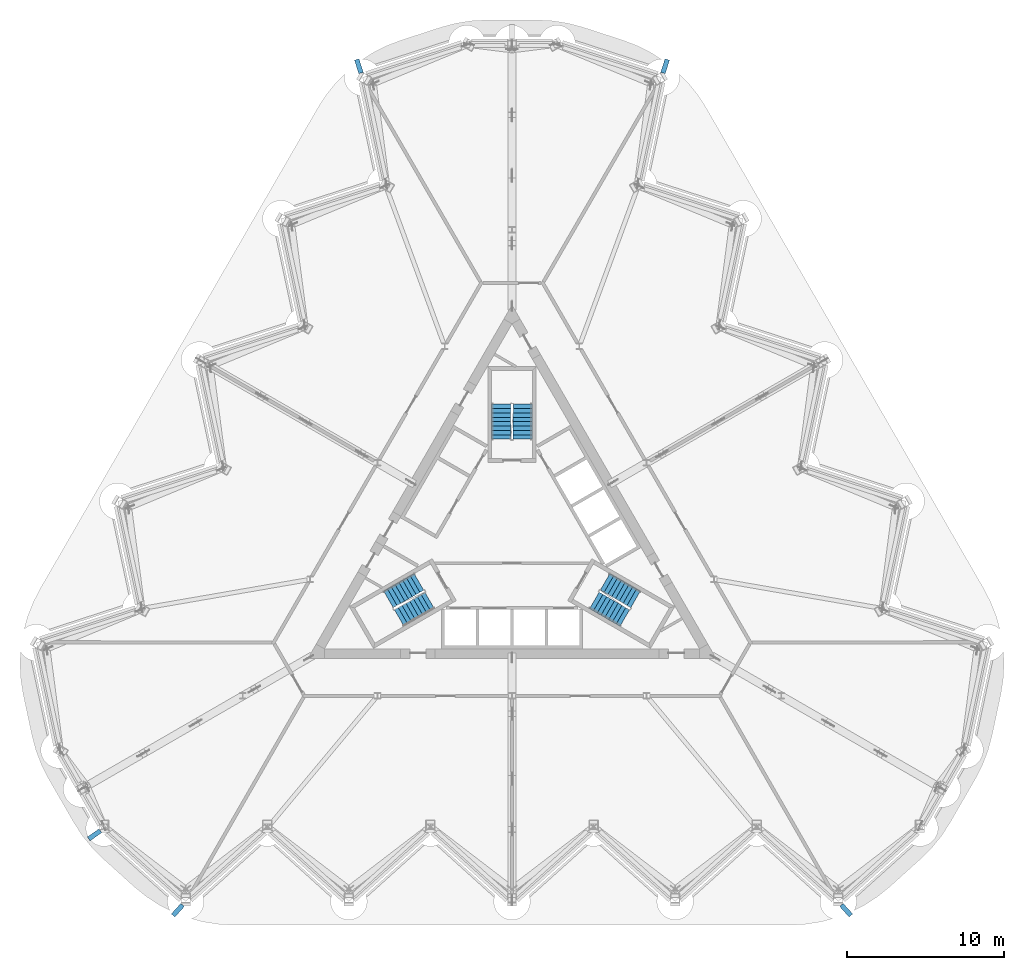
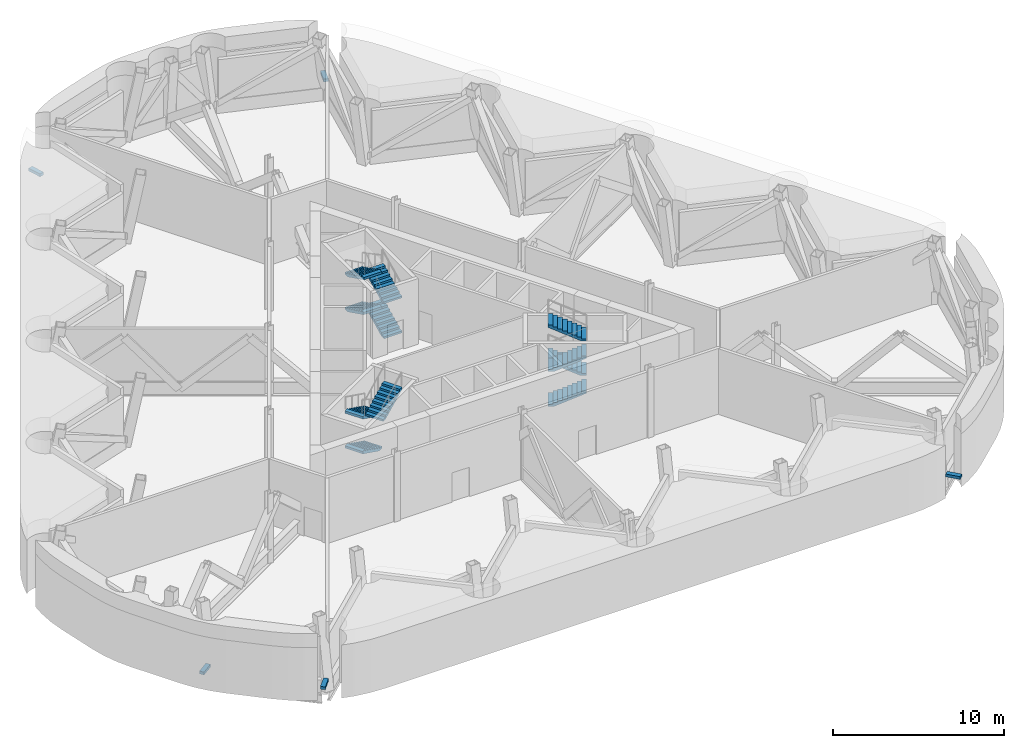
# One storey, part 9 of 16: 11 stair flights, 5 discrete accessories, 3 elements without a shape of their own.
"""IFC4 building model written with IfcOpenShell, lengths in metres."""

from ifc_helpers import new_model, si_unit, direction, frame, origin, origin_2d, place, context, subcontext, project, spatial, polyline, rectangle, outline, extrude, material, type_object, element, aggregate, save


model = new_model("IFC4")

# Units and contexts
model_context = context("Model", 3, precision=1e-05, world=origin(), true_north=direction((0.0, 1.0)))
body_context = subcontext(model_context, "Body", "Model", "MODEL_VIEW")
ifc_project = project(units=[si_unit("LENGTHUNIT", "METRE"), si_unit("AREAUNIT", "SQUARE_METRE"), si_unit("VOLUMEUNIT", "CUBIC_METRE"), si_unit("PLANEANGLEUNIT", "RADIAN"), si_unit("MASSUNIT", "GRAM", prefix="KILO")], contexts=[model_context])

# Site, building, storey
site_placement = place(None, origin())
site = spatial("IfcSite", under=ifc_project, at=site_placement, CompositionType="ELEMENT")
building_placement = place(site_placement, origin())
building = spatial("IfcBuilding", under=site, at=building_placement, Name="Cormorant Prow Tower", CompositionType="ELEMENT")
storey_placement = place(building_placement, frame((0.0, 0.0, 356.0)))
storey = spatial("IfcBuildingStorey", under=building, at=storey_placement, Name="L79", CompositionType="ELEMENT", Elevation=356.0)

# Stair, stair flights
ifc_material_1 = material(Name="Exit stair 36 risers")
stair_type = type_object("IfcStairType", Name="Exit stair 36 risers", PredefinedType="HALF_TURN_STAIR", material=ifc_material_1)
stair_1_placement = place(storey_placement, origin())
stair_1 = element("IfcStair", 1, at=stair_1_placement, inside=storey, type_object=stair_type, Name="L79 Exit stair ST1", PredefinedType="HALF_TURN_STAIR")
ifc_material_2 = material(Name="Concrete 5000 psi", Category="concrete")
stair_flight_type = type_object("IfcStairFlightType", Name="Stair flight 1219", PredefinedType="STRAIGHT", material=ifc_material_2)
stair_flight_1_placement = place(storey_placement, frame((-5.93310546875, -2.635009765625, 0.0), z_axis=(0.0, 0.0, 1.0), x_axis=(-0.866025403784, -0.5, 0.0)))
stair_flight_1 = element("IfcStairFlight", 2, at=stair_flight_1_placement, type_object=stair_flight_type, Name="ST1 flight 1", NumberOfRisers=9, NumberOfTreads=8, PredefinedType="STRAIGHT", RiserHeight=0.138888889, TreadLength=0.28, context=body_context, shape_type="SweptSolid", body=[
    extrude(outline(polyline([(0.0, 0.0), (0.0, 0.138916015625), (0.280029296875, 0.138916015625), (0.280029296875, 0.27783203125), (0.56005859375, 0.27783203125), (0.56005859375, 0.416748046875), (0.840087890625, 0.416748046875), (0.840087890625, 0.5556640625), (1.1201171875, 0.5556640625), (1.1201171875, 0.6943359375), (1.39990234375, 0.6943359375), (1.39990234375, 0.833251953125), (1.679931640625, 0.833251953125), (1.679931640625, 0.97216796875), (1.9599609375, 0.97216796875), (1.9599609375, 1.111083984375), (2.239990234375, 1.111083984375), (2.239990234375, 1.25), (2.239990234375, 0.94384765625), (0.33740234375, 0.0), (0.0, 0.0)])), frame((0.0, 0.609375, 0.0), z_axis=(0.0, -1.0, 0.0), x_axis=(1.0, 0.0, 0.0)), (0.0, 0.0, 1.0), 1.218994140625),
])
stair_flight_2_placement = place(storey_placement, frame((-5.93310546875, -2.635009765625, 2.5), z_axis=(0.0, 0.0, 1.0), x_axis=(-0.866025403784, -0.5, 0.0)))
stair_flight_2 = element("IfcStairFlight", 3, at=stair_flight_2_placement, type_object=stair_flight_type, Name="ST1 flight 3", NumberOfRisers=9, NumberOfTreads=8, PredefinedType="STRAIGHT", RiserHeight=0.138888889, TreadLength=0.28, context=body_context, shape_type="SweptSolid", body=[
    extrude(outline(polyline([(0.0, 0.0), (0.0, 0.138916015625), (0.280029296875, 0.138916015625), (0.280029296875, 0.27783203125), (0.56005859375, 0.27783203125), (0.56005859375, 0.416748046875), (0.840087890625, 0.416748046875), (0.840087890625, 0.5556640625), (1.1201171875, 0.5556640625), (1.1201171875, 0.6943359375), (1.39990234375, 0.6943359375), (1.39990234375, 0.833251953125), (1.679931640625, 0.833251953125), (1.679931640625, 0.97216796875), (1.9599609375, 0.97216796875), (1.9599609375, 1.111083984375), (2.239990234375, 1.111083984375), (2.239990234375, 1.25), (2.239990234375, 0.94384765625), (0.33740234375, 0.0), (0.0, 0.0)])), frame((0.0, 0.609375, 0.0), z_axis=(0.0, -1.0, 0.0), x_axis=(1.0, 0.0, 0.0)), (0.0, 0.0, 1.0), 1.218994140625),
])
stair_flight_3_placement = place(storey_placement, frame((-7.1884765625, -4.940673828125, 3.75), z_axis=(0.0, 0.0, 1.0), x_axis=(0.866025403784, 0.5, 0.0)))
stair_flight_3 = element("IfcStairFlight", 4, at=stair_flight_3_placement, type_object=stair_flight_type, Name="ST1 flight 4", NumberOfRisers=9, NumberOfTreads=8, PredefinedType="STRAIGHT", RiserHeight=0.138888889, TreadLength=0.28, context=body_context, shape_type="SweptSolid", body=[
    extrude(outline(polyline([(0.0, 0.0), (0.0, 0.138916015625), (0.280029296875, 0.138916015625), (0.280029296875, 0.27783203125), (0.56005859375, 0.27783203125), (0.56005859375, 0.416748046875), (0.840087890625, 0.416748046875), (0.840087890625, 0.5556640625), (1.1201171875, 0.5556640625), (1.1201171875, 0.6943359375), (1.39990234375, 0.6943359375), (1.39990234375, 0.833251953125), (1.679931640625, 0.833251953125), (1.679931640625, 0.97216796875), (1.9599609375, 0.97216796875), (1.9599609375, 1.111083984375), (2.239990234375, 1.111083984375), (2.239990234375, 1.25), (2.239990234375, 0.94384765625), (0.33740234375, 0.0), (0.0, 0.0)])), frame((0.0, 0.609375, 0.0), z_axis=(0.0, -1.0, 0.0), x_axis=(1.0, 0.0, 0.0)), (0.0, 0.0, 1.0), 1.218994140625),
])
aggregate(stair_1, [stair_flight_1, stair_flight_2, stair_flight_3])

stair_2_placement = place(storey_placement, origin())
stair_2 = element("IfcStair", 5, at=stair_2_placement, inside=storey, type_object=stair_type, Name="L79 Exit stair ST2", PredefinedType="HALF_TURN_STAIR")
stair_flight_4_placement = place(storey_placement, frame((5.24853515625, -3.82080078125, 0.0), z_axis=(0.0, 0.0, 1.0), x_axis=(0.866025403784, -0.5, 0.0)))
stair_flight_4 = element("IfcStairFlight", 6, at=stair_flight_4_placement, type_object=stair_flight_type, Name="ST2 flight 1", NumberOfRisers=9, NumberOfTreads=8, PredefinedType="STRAIGHT", RiserHeight=0.138888889, TreadLength=0.28, context=body_context, shape_type="SweptSolid", body=[
    extrude(outline(polyline([(0.0, 0.0), (0.0, 0.138916015625), (0.280029296875, 0.138916015625), (0.280029296875, 0.27783203125), (0.56005859375, 0.27783203125), (0.56005859375, 0.416748046875), (0.840087890625, 0.416748046875), (0.840087890625, 0.5556640625), (1.1201171875, 0.5556640625), (1.1201171875, 0.6943359375), (1.39990234375, 0.6943359375), (1.39990234375, 0.833251953125), (1.679931640625, 0.833251953125), (1.679931640625, 0.97216796875), (1.9599609375, 0.97216796875), (1.9599609375, 1.111083984375), (2.239990234375, 1.111083984375), (2.239990234375, 1.25), (2.239990234375, 0.94384765625), (0.33740234375, 0.0), (0.0, 0.0)])), frame((0.0, 0.609375, 0.0), z_axis=(0.0, -1.0, 0.0), x_axis=(1.0, 0.0, 0.0)), (0.0, 0.0, 1.0), 1.218994140625),
])
stair_flight_5_placement = place(storey_placement, frame((7.873046875, -3.755126953125, 1.25), z_axis=(0.0, 0.0, 1.0), x_axis=(-0.866025403784, 0.5, 0.0)))
stair_flight_5 = element("IfcStairFlight", 7, at=stair_flight_5_placement, type_object=stair_flight_type, Name="ST2 flight 2", NumberOfRisers=9, NumberOfTreads=8, PredefinedType="STRAIGHT", RiserHeight=0.138888889, TreadLength=0.28, context=body_context, shape_type="SweptSolid", body=[
    extrude(outline(polyline([(0.0, 0.0), (0.0, 0.138916015625), (0.280029296875, 0.138916015625), (0.280029296875, 0.27783203125), (0.56005859375, 0.27783203125), (0.56005859375, 0.416748046875), (0.840087890625, 0.416748046875), (0.840087890625, 0.5556640625), (1.1201171875, 0.5556640625), (1.1201171875, 0.6943359375), (1.39990234375, 0.6943359375), (1.39990234375, 0.833251953125), (1.679931640625, 0.833251953125), (1.679931640625, 0.97216796875), (1.9599609375, 0.97216796875), (1.9599609375, 1.111083984375), (2.239990234375, 1.111083984375), (2.239990234375, 1.25), (2.239990234375, 0.94384765625), (0.33740234375, 0.0), (0.0, 0.0)])), frame((0.0, 0.609375, 0.0), z_axis=(0.0, -1.0, 0.0), x_axis=(1.0, 0.0, 0.0)), (0.0, 0.0, 1.0), 1.218994140625),
])
stair_flight_6_placement = place(storey_placement, frame((5.24853515625, -3.82080078125, 2.5), z_axis=(0.0, 0.0, 1.0), x_axis=(0.866025403784, -0.5, 0.0)))
stair_flight_6 = element("IfcStairFlight", 8, at=stair_flight_6_placement, type_object=stair_flight_type, Name="ST2 flight 3", NumberOfRisers=9, NumberOfTreads=8, PredefinedType="STRAIGHT", RiserHeight=0.138888889, TreadLength=0.28, context=body_context, shape_type="SweptSolid", body=[
    extrude(outline(polyline([(0.0, 0.0), (0.0, 0.138916015625), (0.280029296875, 0.138916015625), (0.280029296875, 0.27783203125), (0.56005859375, 0.27783203125), (0.56005859375, 0.416748046875), (0.840087890625, 0.416748046875), (0.840087890625, 0.5556640625), (1.1201171875, 0.5556640625), (1.1201171875, 0.6943359375), (1.39990234375, 0.6943359375), (1.39990234375, 0.833251953125), (1.679931640625, 0.833251953125), (1.679931640625, 0.97216796875), (1.9599609375, 0.97216796875), (1.9599609375, 1.111083984375), (2.239990234375, 1.111083984375), (2.239990234375, 1.25), (2.239990234375, 0.94384765625), (0.33740234375, 0.0), (0.0, 0.0)])), frame((0.0, 0.609375, 0.0), z_axis=(0.0, -1.0, 0.0), x_axis=(1.0, 0.0, 0.0)), (0.0, 0.0, 1.0), 1.218994140625),
])
stair_flight_7_placement = place(storey_placement, frame((7.873046875, -3.755126953125, 3.75), z_axis=(0.0, 0.0, 1.0), x_axis=(-0.866025403784, 0.5, 0.0)))
stair_flight_7 = element("IfcStairFlight", 9, at=stair_flight_7_placement, type_object=stair_flight_type, Name="ST2 flight 4", NumberOfRisers=9, NumberOfTreads=8, PredefinedType="STRAIGHT", RiserHeight=0.138888889, TreadLength=0.28, context=body_context, shape_type="SweptSolid", body=[
    extrude(outline(polyline([(0.0, 0.0), (0.0, 0.138916015625), (0.280029296875, 0.138916015625), (0.280029296875, 0.27783203125), (0.56005859375, 0.27783203125), (0.56005859375, 0.416748046875), (0.840087890625, 0.416748046875), (0.840087890625, 0.5556640625), (1.1201171875, 0.5556640625), (1.1201171875, 0.6943359375), (1.39990234375, 0.6943359375), (1.39990234375, 0.833251953125), (1.679931640625, 0.833251953125), (1.679931640625, 0.97216796875), (1.9599609375, 0.97216796875), (1.9599609375, 1.111083984375), (2.239990234375, 1.111083984375), (2.239990234375, 1.25), (2.239990234375, 0.94384765625), (0.33740234375, 0.0), (0.0, 0.0)])), frame((0.0, 0.609375, 0.0), z_axis=(0.0, -1.0, 0.0), x_axis=(1.0, 0.0, 0.0)), (0.0, 0.0, 1.0), 1.218994140625),
])
aggregate(stair_2, [stair_flight_4, stair_flight_5, stair_flight_6, stair_flight_7])

stair_3_placement = place(storey_placement, origin())
stair_3 = element("IfcStair", 10, at=stair_3_placement, inside=storey, type_object=stair_type, Name="L79 Exit stair ST3", PredefinedType="HALF_TURN_STAIR")
stair_flight_8_placement = place(storey_placement, frame((0.6845703125, 6.455810546875, 0.0), z_axis=(0.0, 0.0, 1.0), x_axis=(0.0, 1.0, 0.0)))
stair_flight_8 = element("IfcStairFlight", 11, at=stair_flight_8_placement, type_object=stair_flight_type, Name="ST3 flight 1", NumberOfRisers=9, NumberOfTreads=8, PredefinedType="STRAIGHT", RiserHeight=0.138888889, TreadLength=0.28, context=body_context, shape_type="SweptSolid", body=[
    extrude(outline(polyline([(0.0, 0.0), (0.0, 0.138916015625), (0.280029296875, 0.138916015625), (0.280029296875, 0.27783203125), (0.56005859375, 0.27783203125), (0.56005859375, 0.416748046875), (0.840087890625, 0.416748046875), (0.840087890625, 0.5556640625), (1.1201171875, 0.5556640625), (1.1201171875, 0.6943359375), (1.39990234375, 0.6943359375), (1.39990234375, 0.833251953125), (1.679931640625, 0.833251953125), (1.679931640625, 0.97216796875), (1.9599609375, 0.97216796875), (1.9599609375, 1.111083984375), (2.239990234375, 1.111083984375), (2.239990234375, 1.25), (2.239990234375, 0.94384765625), (0.33740234375, 0.0), (0.0, 0.0)])), frame((0.0, 0.609375, 0.0), z_axis=(0.0, -1.0, 0.0), x_axis=(1.0, 0.0, 0.0)), (0.0, 0.0, 1.0), 1.218994140625),
])
stair_flight_9_placement = place(storey_placement, frame((-0.6845703125, 8.69580078125, 1.25), z_axis=(0.0, 0.0, 1.0), x_axis=(0.0, -1.0, 0.0)))
stair_flight_9 = element("IfcStairFlight", 12, at=stair_flight_9_placement, type_object=stair_flight_type, Name="ST3 flight 2", NumberOfRisers=9, NumberOfTreads=8, PredefinedType="STRAIGHT", RiserHeight=0.138888889, TreadLength=0.28, context=body_context, shape_type="SweptSolid", body=[
    extrude(outline(polyline([(0.0, 0.0), (0.0, 0.138916015625), (0.280029296875, 0.138916015625), (0.280029296875, 0.27783203125), (0.56005859375, 0.27783203125), (0.56005859375, 0.416748046875), (0.840087890625, 0.416748046875), (0.840087890625, 0.5556640625), (1.1201171875, 0.5556640625), (1.1201171875, 0.6943359375), (1.39990234375, 0.6943359375), (1.39990234375, 0.833251953125), (1.679931640625, 0.833251953125), (1.679931640625, 0.97216796875), (1.9599609375, 0.97216796875), (1.9599609375, 1.111083984375), (2.239990234375, 1.111083984375), (2.239990234375, 1.25), (2.239990234375, 0.94384765625), (0.33740234375, 0.0), (0.0, 0.0)])), frame((0.0, 0.609375, 0.0), z_axis=(0.0, -1.0, 0.0), x_axis=(1.0, 0.0, 0.0)), (0.0, 0.0, 1.0), 1.218994140625),
])
stair_flight_10_placement = place(storey_placement, frame((0.6845703125, 6.455810546875, 2.5), z_axis=(0.0, 0.0, 1.0), x_axis=(0.0, 1.0, 0.0)))
stair_flight_10 = element("IfcStairFlight", 13, at=stair_flight_10_placement, type_object=stair_flight_type, Name="ST3 flight 3", NumberOfRisers=9, NumberOfTreads=8, PredefinedType="STRAIGHT", RiserHeight=0.138888889, TreadLength=0.28, context=body_context, shape_type="SweptSolid", body=[
    extrude(outline(polyline([(0.0, 0.0), (0.0, 0.138916015625), (0.280029296875, 0.138916015625), (0.280029296875, 0.27783203125), (0.56005859375, 0.27783203125), (0.56005859375, 0.416748046875), (0.840087890625, 0.416748046875), (0.840087890625, 0.5556640625), (1.1201171875, 0.5556640625), (1.1201171875, 0.6943359375), (1.39990234375, 0.6943359375), (1.39990234375, 0.833251953125), (1.679931640625, 0.833251953125), (1.679931640625, 0.97216796875), (1.9599609375, 0.97216796875), (1.9599609375, 1.111083984375), (2.239990234375, 1.111083984375), (2.239990234375, 1.25), (2.239990234375, 0.94384765625), (0.33740234375, 0.0), (0.0, 0.0)])), frame((0.0, 0.609375, 0.0), z_axis=(0.0, -1.0, 0.0), x_axis=(1.0, 0.0, 0.0)), (0.0, 0.0, 1.0), 1.218994140625),
])
stair_flight_11_placement = place(storey_placement, frame((-0.6845703125, 8.69580078125, 3.75), z_axis=(0.0, 0.0, 1.0), x_axis=(0.0, -1.0, 0.0)))
stair_flight_11 = element("IfcStairFlight", 14, at=stair_flight_11_placement, type_object=stair_flight_type, Name="ST3 flight 4", NumberOfRisers=9, NumberOfTreads=8, PredefinedType="STRAIGHT", RiserHeight=0.138888889, TreadLength=0.28, context=body_context, shape_type="SweptSolid", body=[
    extrude(outline(polyline([(0.0, 0.0), (0.0, 0.138916015625), (0.280029296875, 0.138916015625), (0.280029296875, 0.27783203125), (0.56005859375, 0.27783203125), (0.56005859375, 0.416748046875), (0.840087890625, 0.416748046875), (0.840087890625, 0.5556640625), (1.1201171875, 0.5556640625), (1.1201171875, 0.6943359375), (1.39990234375, 0.6943359375), (1.39990234375, 0.833251953125), (1.679931640625, 0.833251953125), (1.679931640625, 0.97216796875), (1.9599609375, 0.97216796875), (1.9599609375, 1.111083984375), (2.239990234375, 1.111083984375), (2.239990234375, 1.25), (2.239990234375, 0.94384765625), (0.33740234375, 0.0), (0.0, 0.0)])), frame((0.0, 0.609375, 0.0), z_axis=(0.0, -1.0, 0.0), x_axis=(1.0, 0.0, 0.0)), (0.0, 0.0, 1.0), 1.218994140625),
])
aggregate(stair_3, [stair_flight_8, stair_flight_9, stair_flight_10, stair_flight_11])

# Discrete accessories
ifc_material_3 = material(Name="Aluminium 6063-T6", Category="aluminium")
discrete_accessory_type = type_object("IfcDiscreteAccessoryType", Name="Fascia bracket 900x300x200", PredefinedType="BRACKET", material=ifc_material_3)
for number, where, z_axis, x_axis, name in (
    (15, (-21.29931640625, -23.564453125, 0.89990234375), (0.0, 0.0, 1.0), (-0.67054912426, -0.741865130569, 0.0), "Fascia bracket L79"),
    (16, (-9.7578125, 30.22802734375, 0.89990234375), (0.0, 0.0, 1.0), (-0.307199459537, 0.951645150285, 0.0), "Fascia bracket L79"),
    (17, (9.7578125, 30.22802734375, 0.89990234375), (0.0, 0.0, 1.0), (0.307199459537, 0.951645150285, 0.0), "Fascia bracket L79"),
    (18, (-26.6083984375, -18.759033203125, 0.89990234375), (0.0, 0.0, 1.0), (-0.817306378382, -0.576203335512, 0.0), "Fascia bracket L79"),
    (19, (21.29931640625, -23.564453125, 0.89990234375), (0.0, 0.0, 1.0), (0.67054912426, -0.741865130569, 0.0), "Fascia bracket L79"),
):
    element("IfcDiscreteAccessory", number, at=place(storey_placement, frame(where, z_axis=z_axis, x_axis=x_axis)), inside=storey, type_object=discrete_accessory_type, Name=name, PredefinedType="BRACKET", context=body_context, shape_type="SweptSolid", body=[
        extrude(rectangle(XDim=0.89990234375, YDim=0.300048828125, at=origin_2d()), origin(), (0.0, 0.0, 1.0), 0.199951171875),
    ])

save(model, "model.ifc")
